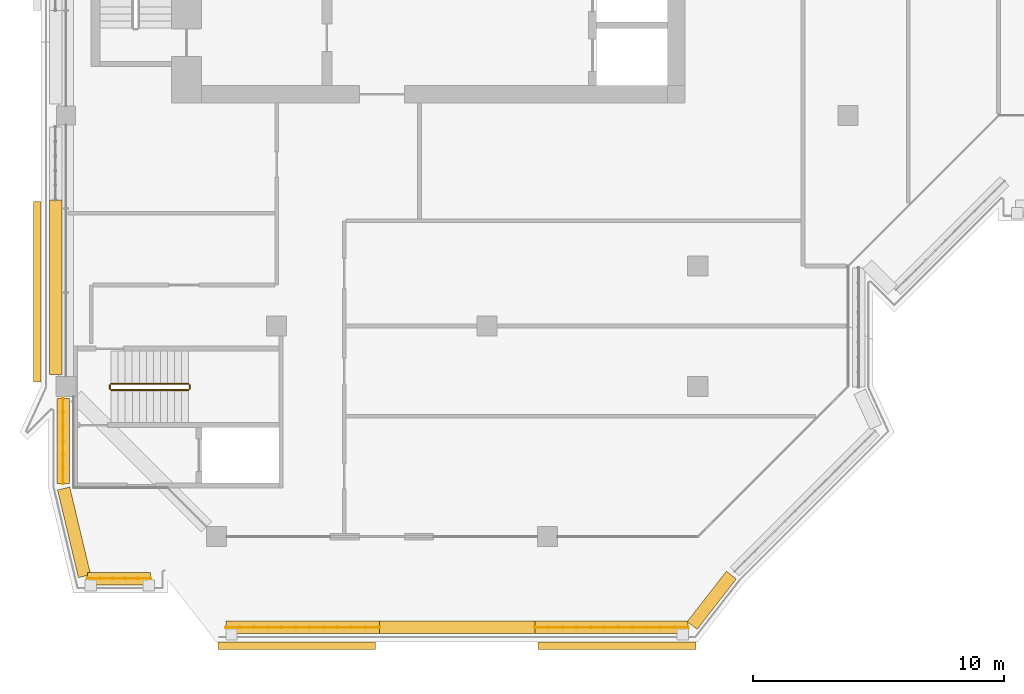
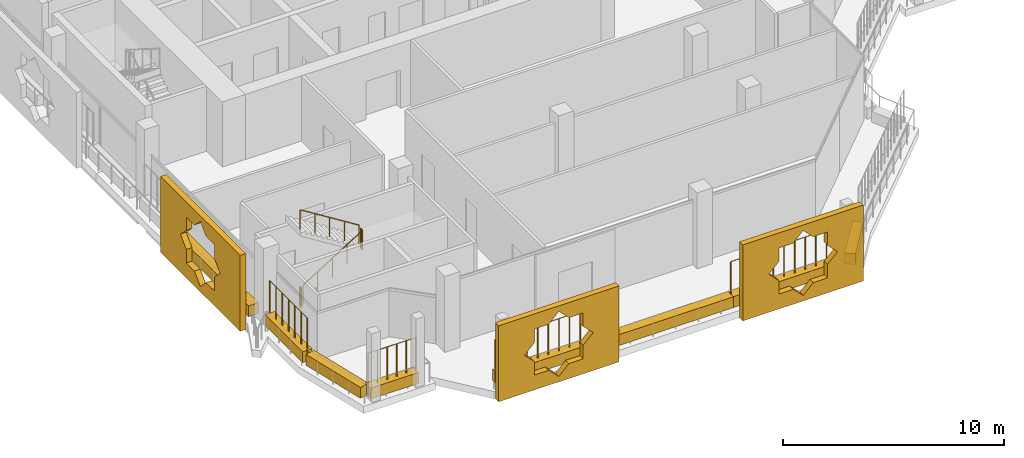
# One storey, part 15 of 21: 11 coverings, 8 railings.
"""IFC4 building model written with IfcOpenShell, lengths in metres."""

from ifc_helpers import new_model, si_unit, direction, frame, origin, origin_2d, place, context, subcontext, project, spatial, polyline, rectangle, circle, outline, extrude, material, material_profile, profile_set, type_object, element, save


model = new_model("IFC4")

# Units and contexts
model_context = context("Model", 3, precision=1e-05, world=origin(), true_north=direction((0.0, 1.0)))
body_context = subcontext(model_context, "Body", "Model", "MODEL_VIEW")
ifc_project = project(units=[si_unit("LENGTHUNIT", "METRE"), si_unit("AREAUNIT", "SQUARE_METRE"), si_unit("VOLUMEUNIT", "CUBIC_METRE"), si_unit("PLANEANGLEUNIT", "RADIAN"), si_unit("MASSUNIT", "GRAM", prefix="KILO")], contexts=[model_context])

# Site, building, storey
site_placement = place(None, origin())
site = spatial("IfcSite", under=ifc_project, at=site_placement, CompositionType="ELEMENT")
building_placement = place(site_placement, origin())
building = spatial("IfcBuilding", under=site, at=building_placement, Name="Kawkab Arch Medical Tower", CompositionType="ELEMENT")
storey_placement = place(building_placement, frame((0.0, 0.0, 307.0)))
storey = spatial("IfcBuildingStorey", under=building, at=storey_placement, Name="L71", CompositionType="ELEMENT", Elevation=307.0)

# Coverings
ifc_material_1 = material(Name="Bronze anodised aluminium mashrabiya panel, eight-point star pattern", Category="aluminium")
ifc_material_profile_1 = material_profile(ifc_material_1, outline(polyline([(-3.14990234375, -2.10009765625), (3.14990234375, -2.10009765625), (3.14990234375, 2.10009765625), (-3.14990234375, 2.10009765625), (-3.14990234375, -2.10009765625)]), holes=[polyline([(1.800048828125, 0.0), (1.272705078125, 0.527099609375), (1.272705078125, 1.272705078125), (0.527099609375, 1.272705078125), (0.0, 1.800048828125), (-0.527099609375, 1.272705078125), (-1.272705078125, 1.272705078125), (-1.272705078125, 0.527099609375), (-1.800048828125, 0.0), (-1.272705078125, -0.527099609375), (-1.272705078125, -1.272705078125), (-0.527099609375, -1.272705078125), (0.0, -1.800048828125), (0.527099609375, -1.272705078125), (1.272705078125, -1.272705078125), (1.272705078125, -0.527099609375), (1.800048828125, 0.0)])]), Name="Mashrabiya panel 6300x4200")
ifc_profile_set_1 = profile_set([ifc_material_profile_1], Name="Bronze anodised aluminium mashrabiya panel, eight-point star pattern")
covering_type_1 = type_object("IfcCoveringType", Name="Mashrabiya panel 6300 x 4200", PredefinedType="USERDEFINED", material=ifc_profile_set_1)
for number, where, z_axis, x_axis, name in (
    (1, (21.976806640625, -46.199951171875, 1.699951171875), (0.0, -1.0, 0.0), (1.0, 0.0, 0.0), "Mashrabiya panel L71.LOG-01-01.8"),
    (2, (9.203369140625, -46.199951171875, 1.699951171875), (0.0, -1.0, 0.0), (1.0, 0.0, 0.0), "Mashrabiya panel L71.LOG-01-01.9"),
):
    element("IfcCovering", number, at=place(storey_placement, frame(where, z_axis=z_axis, x_axis=x_axis)), inside=storey, type_object=covering_type_1, Name=name, ObjectType="SCREEN", PredefinedType="USERDEFINED", context=body_context, shape_type="SweptSolid", body=[
        extrude(outline(polyline([(-3.14990234375, -2.10009765625), (3.14990234375, -2.10009765625), (3.14990234375, 2.10009765625), (-3.14990234375, 2.10009765625), (-3.14990234375, -2.10009765625)]), holes=[polyline([(1.800048828125, 0.0), (1.272705078125, 0.527099609375), (1.272705078125, 1.272705078125), (0.527099609375, 1.272705078125), (0.0, 1.800048828125), (-0.527099609375, 1.272705078125), (-1.272705078125, 1.272705078125), (-1.272705078125, 0.527099609375), (-1.800048828125, 0.0), (-1.272705078125, -0.527099609375), (-1.272705078125, -1.272705078125), (-0.527099609375, -1.272705078125), (0.0, -1.800048828125), (0.527099609375, -1.272705078125), (1.272705078125, -1.272705078125), (1.272705078125, -0.527099609375), (1.800048828125, 0.0)])]), origin(), (0.0, 0.0, 1.0), 0.300048828125),
    ])
ifc_material_2 = material(Name="Bronze anodised aluminium mashrabiya panel, eight-point star pattern", Category="aluminium")
ifc_material_profile_2 = material_profile(ifc_material_2, outline(polyline([(-3.60009765625, -2.10009765625), (3.60009765625, -2.10009765625), (3.60009765625, 2.10009765625), (-3.60009765625, 2.10009765625), (-3.60009765625, -2.10009765625)]), holes=[polyline([(1.800048828125, 0.0), (1.272705078125, 0.527099609375), (1.272705078125, 1.272705078125), (0.527099609375, 1.272705078125), (0.0, 1.800048828125), (-0.527099609375, 1.272705078125), (-1.272705078125, 1.272705078125), (-1.272705078125, 0.527099609375), (-1.800048828125, 0.0), (-1.272705078125, -0.527099609375), (-1.272705078125, -1.272705078125), (-0.527099609375, -1.272705078125), (0.0, -1.800048828125), (0.527099609375, -1.272705078125), (1.272705078125, -1.272705078125), (1.272705078125, -0.527099609375), (1.800048828125, 0.0)])]), Name="Mashrabiya panel 7200x4200")
ifc_profile_set_2 = profile_set([ifc_material_profile_2], Name="Bronze anodised aluminium mashrabiya panel, eight-point star pattern")
covering_type_2 = type_object("IfcCoveringType", Name="Mashrabiya panel 7200 x 4200", PredefinedType="USERDEFINED", material=ifc_profile_set_2)
covering_1_placement = place(storey_placement, frame((-1.0, -32.231689453125, 1.699951171875), z_axis=(-1.0, 0.0, 0.0), x_axis=(0.0, -1.0, 0.0)))
element("IfcCovering", 3, at=covering_1_placement, inside=storey, type_object=covering_type_2, Name="Mashrabiya panel L71.LOG-01-01.1", ObjectType="SCREEN", PredefinedType="USERDEFINED", context=body_context, shape_type="SweptSolid", body=[
    extrude(outline(polyline([(-3.60009765625, -2.10009765625), (3.60009765625, -2.10009765625), (3.60009765625, 2.10009765625), (-3.60009765625, 2.10009765625), (-3.60009765625, -2.10009765625)]), holes=[polyline([(1.800048828125, 0.0), (1.272705078125, 0.527099609375), (1.272705078125, 1.272705078125), (0.527099609375, 1.272705078125), (0.0, 1.800048828125), (-0.527099609375, 1.272705078125), (-1.272705078125, 1.272705078125), (-1.272705078125, 0.527099609375), (-1.800048828125, 0.0), (-1.272705078125, -0.527099609375), (-1.272705078125, -1.272705078125), (-0.527099609375, -1.272705078125), (0.0, -1.800048828125), (0.527099609375, -1.272705078125), (1.272705078125, -1.272705078125), (1.272705078125, -0.527099609375), (1.800048828125, 0.0)])]), origin(), (0.0, 0.0, 1.0), 0.300048828125),
])
ifc_material_3 = material(Name="Planting soil in a precast trough", Category="concrete")
ifc_material_profile_3 = material_profile(ifc_material_3, rectangle(XDim=0.5, YDim=0.60009765625, at=origin_2d()), Name="Trough 500x600")
ifc_profile_set_3 = profile_set([ifc_material_profile_3], Name="Planting soil in a precast trough")
covering_type_3 = type_object("IfcCoveringType", Name="Planter trough 500 x 600", PredefinedType="USERDEFINED", material=ifc_profile_set_3)
covering_2_placement = place(storey_placement, frame((3.3701171875, -43.669921875, 0.300048828125), z_axis=(-1.0, 0.0, 0.0), x_axis=(0.0, -1.0, 0.0)))
element("IfcCovering", 4, at=covering_2_placement, inside=storey, type_object=covering_type_3, Name="Planter L71.LOG-01-01.1", ObjectType="PLANTER", PredefinedType="USERDEFINED", context=body_context, shape_type="SweptSolid", body=[
    extrude(rectangle(XDim=0.5, YDim=0.60009765625, at=origin_2d()), origin(), (0.0, 0.0, 1.0), 2.51220703125),
])
covering_3_placement = place(storey_placement, frame((0.735107421875, -43.572998046875, 0.300048828125), z_axis=(-0.231660349642, 0.972796732315, 0.0), x_axis=(-0.972796732315, -0.231660349642, 0.0)))
element("IfcCovering", 5, at=covering_3_placement, inside=storey, type_object=covering_type_3, Name="Planter L71.LOG-01-01.2", ObjectType="PLANTER", PredefinedType="USERDEFINED", context=body_context, shape_type="SweptSolid", body=[
    extrude(rectangle(XDim=0.5, YDim=0.60009765625, at=origin_2d()), origin(), (0.0, 0.0, 1.0), 3.591552734375),
])
covering_4_placement = place(storey_placement, frame((-0.1201171875, -39.882080078125, 0.300048828125), z_axis=(0.0, 1.0, 0.0), x_axis=(-1.0, 0.0, 0.0)))
element("IfcCovering", 6, at=covering_4_placement, inside=storey, type_object=covering_type_3, Name="Planter L71.LOG-01-01.3", ObjectType="PLANTER", PredefinedType="USERDEFINED", context=body_context, shape_type="SweptSolid", body=[
    extrude(rectangle(XDim=0.5, YDim=0.60009765625, at=origin_2d()), origin(), (0.0, 0.0, 1.0), 3.402099609375),
])
covering_5_placement = place(storey_placement, frame((-0.419921875, -35.52001953125, 0.300048828125), z_axis=(0.0, 1.0, 0.0), x_axis=(-1.0, 0.0, 0.0)))
element("IfcCovering", 7, at=covering_5_placement, inside=storey, type_object=covering_type_3, Name="Planter L71.LOG-01-01.4", ObjectType="PLANTER", PredefinedType="USERDEFINED", context=body_context, shape_type="SweptSolid", body=[
    extrude(rectangle(XDim=0.5, YDim=0.60009765625, at=origin_2d()), origin(), (0.0, 0.0, 1.0), 6.95703125),
])
covering_6_placement = place(storey_placement, frame((26.541015625, -43.531982421875, 0.300048828125), z_axis=(-0.61404021143, -0.789274742246, 0.0), x_axis=(0.789274742246, -0.61404021143, 0.0)))
element("IfcCovering", 8, at=covering_6_placement, inside=storey, type_object=covering_type_3, Name="Planter L71.LOG-01-01.34", ObjectType="PLANTER", PredefinedType="USERDEFINED", context=body_context, shape_type="SweptSolid", body=[
    extrude(rectangle(XDim=0.5, YDim=0.60009765625, at=origin_2d()), origin(), (0.0, 0.0, 1.0), 2.54541015625),
])
covering_7_placement = place(storey_placement, frame((24.81591796875, -45.6201171875, 0.300048828125), z_axis=(-1.0, 0.0, 0.0), x_axis=(0.0, -1.0, 0.0)))
element("IfcCovering", 9, at=covering_7_placement, inside=storey, type_object=covering_type_3, Name="Planter L71.LOG-01-01.35", ObjectType="PLANTER", PredefinedType="USERDEFINED", context=body_context, shape_type="SweptSolid", body=[
    extrude(rectangle(XDim=0.5, YDim=0.60009765625, at=origin_2d()), origin(), (0.0, 0.0, 1.0), 6.11083984375),
])
covering_8_placement = place(storey_placement, frame((18.705078125, -45.6201171875, 0.300048828125), z_axis=(-1.0, 0.0, 0.0), x_axis=(0.0, -1.0, 0.0)))
element("IfcCovering", 10, at=covering_8_placement, inside=storey, type_object=covering_type_3, Name="Planter L71.LOG-01-01.36", ObjectType="PLANTER", PredefinedType="USERDEFINED", context=body_context, shape_type="SweptSolid", body=[
    extrude(rectangle(XDim=0.5, YDim=0.60009765625, at=origin_2d()), origin(), (0.0, 0.0, 1.0), 6.2099609375),
])
covering_9_placement = place(storey_placement, frame((12.4951171875, -45.6201171875, 0.300048828125), z_axis=(-1.0, 0.0, 0.0), x_axis=(0.0, -1.0, 0.0)))
element("IfcCovering", 11, at=covering_9_placement, inside=storey, type_object=covering_type_3, Name="Planter L71.LOG-01-01.37", ObjectType="PLANTER", PredefinedType="USERDEFINED", context=body_context, shape_type="SweptSolid", body=[
    extrude(rectangle(XDim=0.5, YDim=0.60009765625, at=origin_2d()), origin(), (0.0, 0.0, 1.0), 6.111083984375),
])

# Railings
ifc_material_4 = material(Name="Bronze anodised aluminium trellis for climbing plants", Category="aluminium")
railing_type_1 = type_object("IfcRailingType", Name="Planting trellis 2400", PredefinedType="USERDEFINED", material=ifc_material_4)
railing_1_placement = place(storey_placement, frame((3.3701171875, -43.669921875, 0.0)))
element("IfcRailing", 12, at=railing_1_placement, inside=storey, type_object=railing_type_1, Name="Planting trellis L71.LOG-01-01.1", ObjectType="TRELLIS", PredefinedType="USERDEFINED", context=body_context, shape_type="SweptSolid", body=[
    extrude(circle(Radius=0.01513671875, at=origin_2d()), frame((0.0, 0.0, 2.384765625), z_axis=(-1.0, 0.0, 0.0), x_axis=(0.0, -1.0, 0.0)), (0.0, 0.0, 1.0), 2.51220703125),
    extrude(circle(Radius=0.030029296875, at=origin_2d()), origin(), (0.0, 0.0, 1.0), 2.369873046875),
    extrude(circle(Radius=0.030029296875, at=origin_2d()), frame((-0.50244140625, 0.0, 0.0)), (0.0, 0.0, 1.0), 2.369873046875),
    extrude(circle(Radius=0.030029296875, at=origin_2d()), frame((-1.0048828125, 0.0, 0.0)), (0.0, 0.0, 1.0), 2.369873046875),
    extrude(circle(Radius=0.030029296875, at=origin_2d()), frame((-1.50732421875, 0.0, 0.0)), (0.0, 0.0, 1.0), 2.369873046875),
    extrude(circle(Radius=0.030029296875, at=origin_2d()), frame((-2.009765625, 0.0, 0.0)), (0.0, 0.0, 1.0), 2.369873046875),
    extrude(circle(Radius=0.030029296875, at=origin_2d()), frame((-2.51220703125, 0.0, 0.0)), (0.0, 0.0, 1.0), 2.369873046875),
])
railing_2_placement = place(storey_placement, frame((-0.1201171875, -39.882080078125, 0.0)))
element("IfcRailing", 13, at=railing_2_placement, inside=storey, type_object=railing_type_1, Name="Planting trellis L71.LOG-01-01.3", ObjectType="TRELLIS", PredefinedType="USERDEFINED", context=body_context, shape_type="SweptSolid", body=[
    extrude(circle(Radius=0.01513671875, at=origin_2d()), frame((0.0, 0.0, 2.384765625), z_axis=(0.0, 1.0, 0.0), x_axis=(-1.0, 0.0, 0.0)), (0.0, 0.0, 1.0), 3.402099609375),
    extrude(circle(Radius=0.030029296875, at=origin_2d()), origin(), (0.0, 0.0, 1.0), 2.369873046875),
    extrude(circle(Radius=0.030029296875, at=origin_2d()), frame((0.0, 0.56689453125, 0.0)), (0.0, 0.0, 1.0), 2.369873046875),
    extrude(circle(Radius=0.030029296875, at=origin_2d()), frame((0.0, 1.134033203125, 0.0)), (0.0, 0.0, 1.0), 2.369873046875),
    extrude(circle(Radius=0.030029296875, at=origin_2d()), frame((0.0, 1.701171875, 0.0)), (0.0, 0.0, 1.0), 2.369873046875),
    extrude(circle(Radius=0.030029296875, at=origin_2d()), frame((0.0, 2.26806640625, 0.0)), (0.0, 0.0, 1.0), 2.369873046875),
    extrude(circle(Radius=0.030029296875, at=origin_2d()), frame((0.0, 2.8349609375, 0.0)), (0.0, 0.0, 1.0), 2.369873046875),
    extrude(circle(Radius=0.030029296875, at=origin_2d()), frame((0.0, 3.402099609375, 0.0)), (0.0, 0.0, 1.0), 2.369873046875),
])
railing_3_placement = place(storey_placement, frame((24.81591796875, -45.6201171875, 0.0)))
element("IfcRailing", 14, at=railing_3_placement, inside=storey, type_object=railing_type_1, Name="Planting trellis L71.LOG-01-01.35", ObjectType="TRELLIS", PredefinedType="USERDEFINED", context=body_context, shape_type="SweptSolid", body=[
    extrude(circle(Radius=0.01513671875, at=origin_2d()), frame((0.0, 0.0, 2.384765625), z_axis=(-1.0, 0.0, 0.0), x_axis=(0.0, -1.0, 0.0)), (0.0, 0.0, 1.0), 6.11083984375),
    extrude(circle(Radius=0.030029296875, at=origin_2d()), origin(), (0.0, 0.0, 1.0), 2.369873046875),
    extrude(circle(Radius=0.030029296875, at=origin_2d()), frame((-0.555419921875, 0.0, 0.0)), (0.0, 0.0, 1.0), 2.369873046875),
    extrude(circle(Radius=0.030029296875, at=origin_2d()), frame((-1.111083984375, 0.0, 0.0)), (0.0, 0.0, 1.0), 2.369873046875),
    extrude(circle(Radius=0.030029296875, at=origin_2d()), frame((-1.66650390625, 0.0, 0.0)), (0.0, 0.0, 1.0), 2.369873046875),
    extrude(circle(Radius=0.030029296875, at=origin_2d()), frame((-2.22216796875, 0.0, 0.0)), (0.0, 0.0, 1.0), 2.369873046875),
    extrude(circle(Radius=0.030029296875, at=origin_2d()), frame((-2.777587890625, 0.0, 0.0)), (0.0, 0.0, 1.0), 2.369873046875),
    extrude(circle(Radius=0.030029296875, at=origin_2d()), frame((-3.333251953125, 0.0, 0.0)), (0.0, 0.0, 1.0), 2.369873046875),
    extrude(circle(Radius=0.030029296875, at=origin_2d()), frame((-3.888671875, 0.0, 0.0)), (0.0, 0.0, 1.0), 2.369873046875),
    extrude(circle(Radius=0.030029296875, at=origin_2d()), frame((-4.4443359375, 0.0, 0.0)), (0.0, 0.0, 1.0), 2.369873046875),
    extrude(circle(Radius=0.030029296875, at=origin_2d()), frame((-4.999755859375, 0.0, 0.0)), (0.0, 0.0, 1.0), 2.369873046875),
    extrude(circle(Radius=0.030029296875, at=origin_2d()), frame((-5.555419921875, 0.0, 0.0)), (0.0, 0.0, 1.0), 2.369873046875),
    extrude(circle(Radius=0.030029296875, at=origin_2d()), frame((-6.11083984375, 0.0, 0.0)), (0.0, 0.0, 1.0), 2.369873046875),
])
railing_4_placement = place(storey_placement, frame((12.4951171875, -45.6201171875, 0.0)))
element("IfcRailing", 15, at=railing_4_placement, inside=storey, type_object=railing_type_1, Name="Planting trellis L71.LOG-01-01.37", ObjectType="TRELLIS", PredefinedType="USERDEFINED", context=body_context, shape_type="SweptSolid", body=[
    extrude(circle(Radius=0.01513671875, at=origin_2d()), frame((0.0, 0.0, 2.384765625), z_axis=(-1.0, 0.0, 0.0), x_axis=(0.0, -1.0, 0.0)), (0.0, 0.0, 1.0), 6.111083984375),
    extrude(circle(Radius=0.030029296875, at=origin_2d()), origin(), (0.0, 0.0, 1.0), 2.369873046875),
    extrude(circle(Radius=0.030029296875, at=origin_2d()), frame((-0.5556640625, 0.0, 0.0)), (0.0, 0.0, 1.0), 2.369873046875),
    extrude(circle(Radius=0.030029296875, at=origin_2d()), frame((-1.111083984375, 0.0, 0.0)), (0.0, 0.0, 1.0), 2.369873046875),
    extrude(circle(Radius=0.030029296875, at=origin_2d()), frame((-1.666748046875, 0.0, 0.0)), (0.0, 0.0, 1.0), 2.369873046875),
    extrude(circle(Radius=0.030029296875, at=origin_2d()), frame((-2.22216796875, 0.0, 0.0)), (0.0, 0.0, 1.0), 2.369873046875),
    extrude(circle(Radius=0.030029296875, at=origin_2d()), frame((-2.77783203125, 0.0, 0.0)), (0.0, 0.0, 1.0), 2.369873046875),
    extrude(circle(Radius=0.030029296875, at=origin_2d()), frame((-3.333251953125, 0.0, 0.0)), (0.0, 0.0, 1.0), 2.369873046875),
    extrude(circle(Radius=0.030029296875, at=origin_2d()), frame((-3.888916015625, 0.0, 0.0)), (0.0, 0.0, 1.0), 2.369873046875),
    extrude(circle(Radius=0.030029296875, at=origin_2d()), frame((-4.4443359375, 0.0, 0.0)), (0.0, 0.0, 1.0), 2.369873046875),
    extrude(circle(Radius=0.030029296875, at=origin_2d()), frame((-5.0, 0.0, 0.0)), (0.0, 0.0, 1.0), 2.369873046875),
    extrude(circle(Radius=0.030029296875, at=origin_2d()), frame((-5.555419921875, 0.0, 0.0)), (0.0, 0.0, 1.0), 2.369873046875),
    extrude(circle(Radius=0.030029296875, at=origin_2d()), frame((-6.111083984375, 0.0, 0.0)), (0.0, 0.0, 1.0), 2.369873046875),
])
ifc_material_5 = material(Name="Stainless steel", Category="steel")
railing_type_2 = type_object("IfcRailingType", Name="Stair guard 1100", PredefinedType="GUARDRAIL", material=ifc_material_5)
railing_5_placement = place(storey_placement, frame((1.800048828125, -36.14990234375, 0.175048828125)))
element("IfcRailing", 16, at=railing_5_placement, inside=storey, type_object=railing_type_2, Name="L71 ST6 stair guard 1", PredefinedType="GUARDRAIL", context=body_context, shape_type="SweptSolid", body=[
    extrude(circle(Radius=0.02392578125, at=origin_2d()), frame((0.0, 0.0, 1.076171875), z_axis=(0.847979421464, 0.0, 0.530029150871), x_axis=(0.0, 1.0, 0.0)), (0.0, 0.0, 1.0), 3.632080078125),
    extrude(circle(Radius=0.02099609375, at=origin_2d()), origin(), (0.0, 0.0, 1.0), 1.052001953125),
    extrude(circle(Radius=0.02099609375, at=origin_2d()), frame((0.77001953125, 0.0, 0.481201171875)), (0.0, 0.0, 1.0), 1.052001953125),
    extrude(circle(Radius=0.02099609375, at=origin_2d()), frame((1.5400390625, 0.0, 0.96240234375)), (0.0, 0.0, 1.0), 1.052001953125),
    extrude(circle(Radius=0.02099609375, at=origin_2d()), frame((2.309814453125, 0.0, 1.44384765625)), (0.0, 0.0, 1.0), 1.052001953125),
    extrude(circle(Radius=0.02099609375, at=origin_2d()), frame((3.079833984375, 0.0, 1.925048828125)), (0.0, 0.0, 1.0), 1.052001953125),
])
railing_6_placement = place(storey_placement, frame((4.929931640625, -36.10009765625, 2.10009765625)))
element("IfcRailing", 17, at=railing_6_placement, inside=storey, type_object=railing_type_2, Name="L71 ST6 stair guard 2", PredefinedType="GUARDRAIL", context=body_context, shape_type="SweptSolid", body=[
    extrude(circle(Radius=0.02392578125, at=origin_2d()), frame((0.0, 0.0, 1.076171875), z_axis=(0.0, 1.0, 0.0), x_axis=(-1.0, 0.0, 0.0)), (0.0, 0.0, 1.0), 0.150146484375),
    extrude(circle(Radius=0.02099609375, at=origin_2d()), origin(), (0.0, 0.0, 1.0), 1.052001953125),
    extrude(circle(Radius=0.02099609375, at=origin_2d()), frame((0.0, 0.150146484375, 0.0)), (0.0, 0.0, 1.0), 1.052001953125),
])
railing_7_placement = place(storey_placement, frame((4.8798828125, -35.89990234375, 2.27490234375)))
element("IfcRailing", 18, at=railing_7_placement, inside=storey, type_object=railing_type_2, Name="L71 ST6 stair guard 3", PredefinedType="GUARDRAIL", context=body_context, shape_type="SweptSolid", body=[
    extrude(circle(Radius=0.02392578125, at=origin_2d()), frame((0.0, 0.0, 1.076171875), z_axis=(-0.847979421464, 0.0, 0.530029150871), x_axis=(0.0, -1.0, 0.0)), (0.0, 0.0, 1.0), 3.632080078125),
    extrude(circle(Radius=0.02099609375, at=origin_2d()), origin(), (0.0, 0.0, 1.0), 1.052001953125),
    extrude(circle(Radius=0.02099609375, at=origin_2d()), frame((-0.77001953125, 0.0, 0.481201171875)), (0.0, 0.0, 1.0), 1.052001953125),
    extrude(circle(Radius=0.02099609375, at=origin_2d()), frame((-1.5400390625, 0.0, 0.96240234375)), (0.0, 0.0, 1.0), 1.052001953125),
    extrude(circle(Radius=0.02099609375, at=origin_2d()), frame((-2.309814453125, 0.0, 1.44384765625)), (0.0, 0.0, 1.0), 1.052001953125),
    extrude(circle(Radius=0.02099609375, at=origin_2d()), frame((-3.079833984375, 0.0, 1.925048828125)), (0.0, 0.0, 1.0), 1.052001953125),
])
railing_8_placement = place(storey_placement, frame((1.75, -36.10009765625, 0.0)))
element("IfcRailing", 19, at=railing_8_placement, inside=storey, type_object=railing_type_2, Name="L71 ST6 stair guard 4", PredefinedType="GUARDRAIL", context=body_context, shape_type="SweptSolid", body=[
    extrude(circle(Radius=0.02392578125, at=origin_2d()), frame((0.0, 0.0, 1.076171875), z_axis=(0.0, 1.0, 0.0), x_axis=(-1.0, 0.0, 0.0)), (0.0, 0.0, 1.0), 0.150146484375),
    extrude(circle(Radius=0.02099609375, at=origin_2d()), origin(), (0.0, 0.0, 1.0), 1.052001953125),
    extrude(circle(Radius=0.02099609375, at=origin_2d()), frame((0.0, 0.150146484375, 0.0)), (0.0, 0.0, 1.0), 1.052001953125),
])

save(model, "model.ifc")
